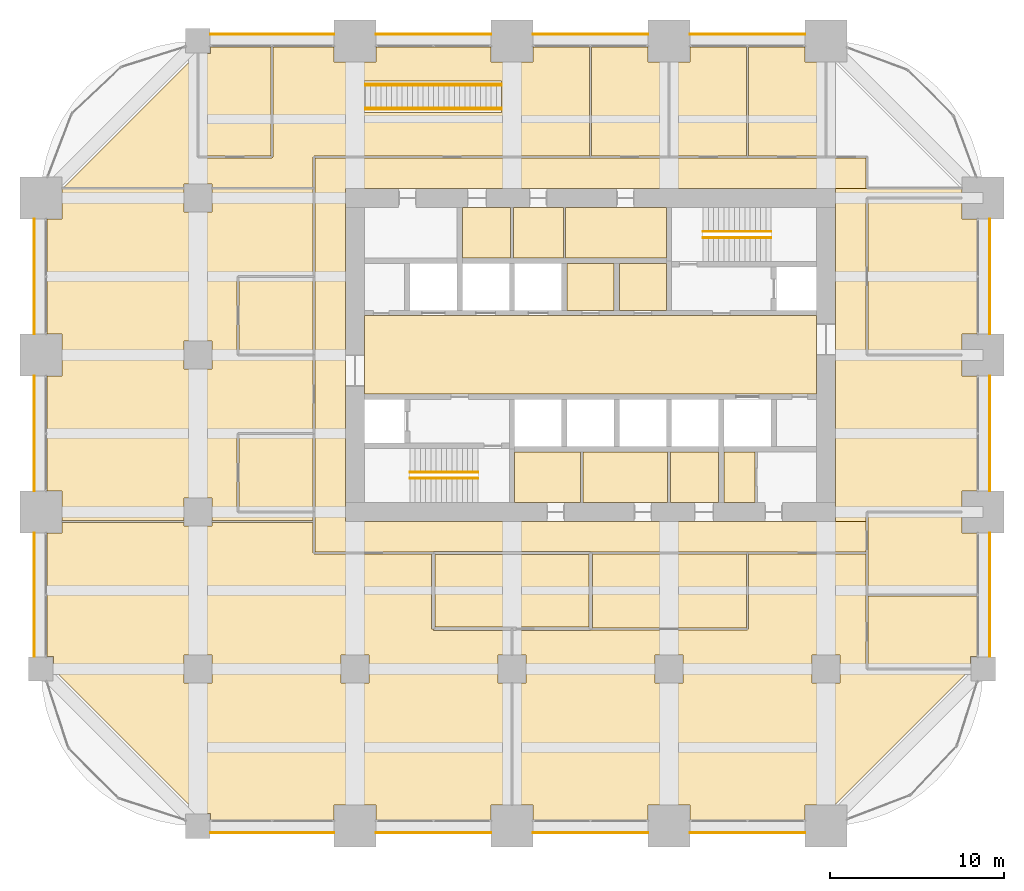
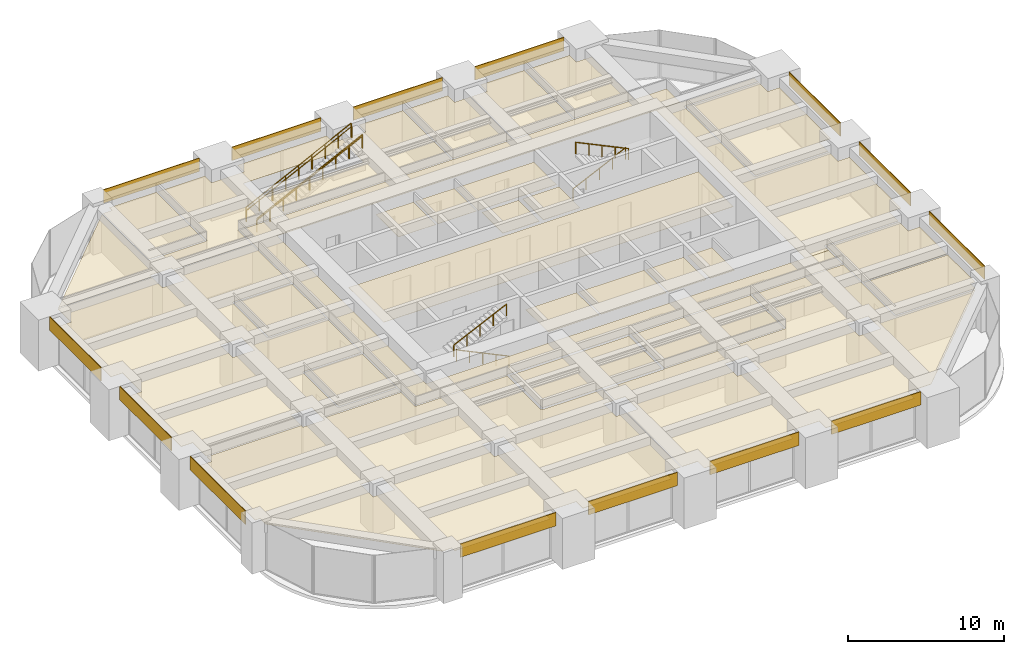
# One storey, part 32 of 33: 41 coverings, 8 railings.
"""IFC4 building model written with IfcOpenShell, lengths in metres."""

from ifc_helpers import new_model, si_unit, direction, frame, frame_2d, origin, origin_2d, place, context, subcontext, project, spatial, polyline, rectangle, circle, outline, extrude, material, layer, layer_set, type_object, element, save


model = new_model("IFC4")

# Units and contexts
model_context = context("Model", 3, precision=1e-05, world=origin(), true_north=direction((0.0, 1.0)))
body_context = subcontext(model_context, "Body", "Model", "MODEL_VIEW")
ifc_project = project(units=[si_unit("LENGTHUNIT", "METRE"), si_unit("AREAUNIT", "SQUARE_METRE"), si_unit("VOLUMEUNIT", "CUBIC_METRE"), si_unit("PLANEANGLEUNIT", "RADIAN"), si_unit("MASSUNIT", "GRAM", prefix="KILO")], contexts=[model_context])

# Site, building, storey
site_placement = place(None, origin())
site = spatial("IfcSite", under=ifc_project, at=site_placement, CompositionType="ELEMENT")
building_placement = place(site_placement, origin())
building = spatial("IfcBuilding", under=site, at=building_placement, Name="Zorevar Civic Tower", CompositionType="ELEMENT")
storey_placement = place(building_placement, frame((0.0, 0.0, 194.199951171875)))
storey = spatial("IfcBuildingStorey", under=building, at=storey_placement, Name="L47", CompositionType="ELEMENT", Elevation=194.199951171875)

# Railings
ifc_material_1 = material(Name="Laminated glass balustrade with black steel handrail", Category="steel")
railing_type_1 = type_object("IfcRailingType", Name="Balustrade BL1 1100", PredefinedType="BALUSTRADE", material=ifc_material_1)
for number, where, name in (
    (1, (18.60009765625, 41.080078125, 0.148193359375), "Balustrade BL1 interconnecting stair L47"),
    (2, (18.60009765625, 42.52001953125, 0.148193359375), "Balustrade BL1 interconnecting stair L47"),
):
    element("IfcRailing", number, at=place(storey_placement, frame(where)), inside=storey, type_object=railing_type_1, Name=name, PredefinedType="BALUSTRADE", context=body_context, shape_type="SweptSolid", body=[
        extrude(circle(Radius=0.02392578125, at=origin_2d()), frame((0.0, 0.0, 1.076171875), z_axis=(0.896627794226, 0.0, 0.442785047875), x_axis=(0.0, 1.0, 0.0)), (0.0, 0.0, 1.0), 8.698974609375),
        extrude(circle(Radius=0.02099609375, at=origin_2d()), origin(), (0.0, 0.0, 1.0), 1.052001953125),
        extrude(circle(Radius=0.02099609375, at=origin_2d()), frame((0.97509765625, 0.0, 0.4814453125)), (0.0, 0.0, 1.0), 1.052001953125),
        extrude(circle(Radius=0.02099609375, at=origin_2d()), frame((1.949951171875, 0.0, 0.962890625)), (0.0, 0.0, 1.0), 1.052001953125),
        extrude(circle(Radius=0.02099609375, at=origin_2d()), frame((2.9248046875, 0.0, 1.4443359375)), (0.0, 0.0, 1.0), 1.052001953125),
        extrude(circle(Radius=0.02099609375, at=origin_2d()), frame((3.89990234375, 0.0, 1.92578125)), (0.0, 0.0, 1.0), 1.052001953125),
        extrude(circle(Radius=0.02099609375, at=origin_2d()), frame((4.875, 0.0, 2.407470703125)), (0.0, 0.0, 1.0), 1.052001953125),
        extrude(circle(Radius=0.02099609375, at=origin_2d()), frame((5.849853515625, 0.0, 2.888916015625)), (0.0, 0.0, 1.0), 1.052001953125),
        extrude(circle(Radius=0.02099609375, at=origin_2d()), frame((6.82470703125, 0.0, 3.370361328125)), (0.0, 0.0, 1.0), 1.052001953125),
        extrude(circle(Radius=0.02099609375, at=origin_2d()), frame((7.7998046875, 0.0, 3.851806640625)), (0.0, 0.0, 1.0), 1.052001953125),
    ])
ifc_material_2 = material(Name="Black steel handrail", Category="steel")
railing_type_2 = type_object("IfcRailingType", Name="Handrail HR1 900", PredefinedType="HANDRAIL", material=ifc_material_2)
railing_1_placement = place(storey_placement, frame((25.050048828125, 19.925048828125, 0.142822265625)))
element("IfcRailing", 3, at=railing_1_placement, inside=storey, type_object=railing_type_2, Name="Handrail HR1 ST1 L47", PredefinedType="HANDRAIL", context=body_context, shape_type="SweptSolid", body=[
    extrude(circle(Radius=0.02392578125, at=origin_2d()), frame((0.0, 0.0, 0.8759765625), z_axis=(-0.902863652845, 0.0, 0.429926998885), x_axis=(0.0, -1.0, 0.0)), (0.0, 0.0, 1.0), 4.31982421875),
    extrude(circle(Radius=0.02099609375, at=origin_2d()), origin(), (0.0, 0.0, 1.0), 0.851806640625),
    extrude(circle(Radius=0.02099609375, at=origin_2d()), frame((-0.97509765625, 0.0, 0.46435546875)), (0.0, 0.0, 1.0), 0.851806640625),
    extrude(circle(Radius=0.02099609375, at=origin_2d()), frame((-1.9501953125, 0.0, 0.9287109375)), (0.0, 0.0, 1.0), 0.851806640625),
    extrude(circle(Radius=0.02099609375, at=origin_2d()), frame((-2.925048828125, 0.0, 1.392822265625)), (0.0, 0.0, 1.0), 0.851806640625),
    extrude(circle(Radius=0.02099609375, at=origin_2d()), frame((-3.900146484375, 0.0, 1.857177734375)), (0.0, 0.0, 1.0), 0.851806640625),
])
for number, where, name in (
    (4, (21.14990234375, 20.27490234375, 2.142822265625), "Handrail HR1 ST1 L47"),
    (5, (37.949951171875, 34.074951171875, 0.142822265625), "Handrail HR1 ST2 L47"),
):
    element("IfcRailing", number, at=place(storey_placement, frame(where)), inside=storey, type_object=railing_type_2, Name=name, PredefinedType="HANDRAIL", context=body_context, shape_type="SweptSolid", body=[
        extrude(circle(Radius=0.02392578125, at=origin_2d()), frame((0.0, 0.0, 0.8759765625), z_axis=(0.902863652845, 0.0, 0.429926998885), x_axis=(0.0, 1.0, 0.0)), (0.0, 0.0, 1.0), 4.31982421875),
        extrude(circle(Radius=0.02099609375, at=origin_2d()), origin(), (0.0, 0.0, 1.0), 0.851806640625),
        extrude(circle(Radius=0.02099609375, at=origin_2d()), frame((0.97509765625, 0.0, 0.46435546875)), (0.0, 0.0, 1.0), 0.851806640625),
        extrude(circle(Radius=0.02099609375, at=origin_2d()), frame((1.9501953125, 0.0, 0.9287109375)), (0.0, 0.0, 1.0), 0.851806640625),
        extrude(circle(Radius=0.02099609375, at=origin_2d()), frame((2.925048828125, 0.0, 1.392822265625)), (0.0, 0.0, 1.0), 0.851806640625),
        extrude(circle(Radius=0.02099609375, at=origin_2d()), frame((3.900146484375, 0.0, 1.857177734375)), (0.0, 0.0, 1.0), 0.851806640625),
    ])
railing_2_placement = place(storey_placement, frame((41.85009765625, 33.72509765625, 2.142822265625)))
element("IfcRailing", 6, at=railing_2_placement, inside=storey, type_object=railing_type_2, Name="Handrail HR1 ST2 L47", PredefinedType="HANDRAIL", context=body_context, shape_type="SweptSolid", body=[
    extrude(circle(Radius=0.02392578125, at=origin_2d()), frame((0.0, 0.0, 0.8759765625), z_axis=(-0.902863652845, 0.0, 0.429926998885), x_axis=(0.0, -1.0, 0.0)), (0.0, 0.0, 1.0), 4.31982421875),
    extrude(circle(Radius=0.02099609375, at=origin_2d()), origin(), (0.0, 0.0, 1.0), 0.851806640625),
    extrude(circle(Radius=0.02099609375, at=origin_2d()), frame((-0.97509765625, 0.0, 0.46435546875)), (0.0, 0.0, 1.0), 0.851806640625),
    extrude(circle(Radius=0.02099609375, at=origin_2d()), frame((-1.9501953125, 0.0, 0.9287109375)), (0.0, 0.0, 1.0), 0.851806640625),
    extrude(circle(Radius=0.02099609375, at=origin_2d()), frame((-2.925048828125, 0.0, 1.392822265625)), (0.0, 0.0, 1.0), 0.851806640625),
    extrude(circle(Radius=0.02099609375, at=origin_2d()), frame((-3.900146484375, 0.0, 1.857177734375)), (0.0, 0.0, 1.0), 0.851806640625),
])
for number, where, name in (
    (7, (18.60009765625, 41.14990234375, 0.148193359375), "Handrail HR1 interconnecting stair L47"),
    (8, (18.60009765625, 42.449951171875, 0.148193359375), "Handrail HR1 interconnecting stair L47"),
):
    element("IfcRailing", number, at=place(storey_placement, frame(where)), inside=storey, type_object=railing_type_2, Name=name, PredefinedType="HANDRAIL", context=body_context, shape_type="SweptSolid", body=[
        extrude(circle(Radius=0.02392578125, at=origin_2d()), frame((0.0, 0.0, 0.8759765625), z_axis=(0.896627794226, 0.0, 0.442785047875), x_axis=(0.0, 1.0, 0.0)), (0.0, 0.0, 1.0), 8.698974609375),
        extrude(circle(Radius=0.02099609375, at=origin_2d()), origin(), (0.0, 0.0, 1.0), 0.851806640625),
        extrude(circle(Radius=0.02099609375, at=origin_2d()), frame((0.97509765625, 0.0, 0.4814453125)), (0.0, 0.0, 1.0), 0.851806640625),
        extrude(circle(Radius=0.02099609375, at=origin_2d()), frame((1.949951171875, 0.0, 0.962890625)), (0.0, 0.0, 1.0), 0.851806640625),
        extrude(circle(Radius=0.02099609375, at=origin_2d()), frame((2.9248046875, 0.0, 1.4443359375)), (0.0, 0.0, 1.0), 0.851806640625),
        extrude(circle(Radius=0.02099609375, at=origin_2d()), frame((3.89990234375, 0.0, 1.92578125)), (0.0, 0.0, 1.0), 0.851806640625),
        extrude(circle(Radius=0.02099609375, at=origin_2d()), frame((4.875, 0.0, 2.407470703125)), (0.0, 0.0, 1.0), 0.851806640625),
        extrude(circle(Radius=0.02099609375, at=origin_2d()), frame((5.849853515625, 0.0, 2.888916015625)), (0.0, 0.0, 1.0), 0.851806640625),
        extrude(circle(Radius=0.02099609375, at=origin_2d()), frame((6.82470703125, 0.0, 3.370361328125)), (0.0, 0.0, 1.0), 0.851806640625),
        extrude(circle(Radius=0.02099609375, at=origin_2d()), frame((7.7998046875, 0.0, 3.851806640625)), (0.0, 0.0, 1.0), 0.851806640625),
    ])

# Coverings
ifc_material_3 = material(Name="Moisture-resistant gypsum board")
ifc_layer_1 = layer(ifc_material_3, 0.012451171875)
ifc_layer_set_1 = layer_set([ifc_layer_1], Name="Moisture-resistant ceiling SC3")
covering_type_1 = type_object("IfcCoveringType", Name="Moisture-resistant ceiling SC3", PredefinedType="CEILING", material=ifc_layer_set_1)
covering_1_placement = place(storey_placement, frame((0.0, 0.0, 3.0)))
element("IfcCovering", 9, at=covering_1_placement, inside=storey, type_object=covering_type_1, Name="Ceiling L47-05", PredefinedType="CEILING", context=body_context, shape_type="SweptSolid", body=[
    extrude(outline(polyline([(30.925048828125, 18.550048828125), (30.925048828125, 21.449951171875), (27.14990234375, 21.449951171875), (27.14990234375, 18.550048828125), (30.925048828125, 18.550048828125)])), origin(), (0.0, 0.0, 1.0), 0.012451171875),
])
covering_2_placement = place(storey_placement, frame((0.0, 0.0, 3.0)))
element("IfcCovering", 10, at=covering_2_placement, inside=storey, type_object=covering_type_1, Name="Ceiling L47-06", PredefinedType="CEILING", context=body_context, shape_type="SweptSolid", body=[
    extrude(outline(polyline([(35.925048828125, 18.550048828125), (35.925048828125, 21.449951171875), (31.074951171875, 21.449951171875), (31.074951171875, 18.550048828125), (35.925048828125, 18.550048828125)])), origin(), (0.0, 0.0, 1.0), 0.012451171875),
])
covering_3_placement = place(storey_placement, frame((0.0, 0.0, 3.0)))
element("IfcCovering", 11, at=covering_3_placement, inside=storey, type_object=covering_type_1, Name="Ceiling L47-07", PredefinedType="CEILING", context=body_context, shape_type="SweptSolid", body=[
    extrude(outline(polyline([(38.85009765625, 18.550048828125), (38.85009765625, 21.449951171875), (36.074951171875, 21.449951171875), (36.074951171875, 18.550048828125), (38.85009765625, 18.550048828125)])), origin(), (0.0, 0.0, 1.0), 0.012451171875),
])
covering_4_placement = place(storey_placement, frame((0.0, 0.0, 3.0)))
element("IfcCovering", 12, at=covering_4_placement, inside=storey, type_object=covering_type_1, Name="Ceiling L47-10", PredefinedType="CEILING", context=body_context, shape_type="SweptSolid", body=[
    extrude(outline(polyline([(26.925048828125, 32.550048828125), (26.925048828125, 35.449951171875), (24.14990234375, 35.449951171875), (24.14990234375, 32.550048828125), (26.925048828125, 32.550048828125)])), origin(), (0.0, 0.0, 1.0), 0.012451171875),
])
ifc_material_4 = material(Name="Black anodised aluminium spandrel panel", Category="aluminium")
ifc_layer_2 = layer(ifc_material_4, 0.050048828125)
ifc_layer_set_2 = layer_set([ifc_layer_2], Name="Spandrel cladding SP1")
covering_type_2 = type_object("IfcCoveringType", Name="Spandrel cladding SP1", PredefinedType="CLADDING", material=ifc_layer_set_2)
covering_5_placement = place(storey_placement, frame((9.699951171875, -0.375, 2.949951171875), z_axis=(0.0, 0.0, 1.0), x_axis=(1.0, 0.0, 0.0)))
element("IfcCovering", 13, at=covering_5_placement, inside=storey, type_object=covering_type_2, Name="Spandrel cladding L48", PredefinedType="CLADDING", context=body_context, shape_type="SweptSolid", body=[
    extrude(rectangle(XDim=7.10009765625, YDim=0.050048828125, at=frame_2d((3.550048828125, 0.0))), origin(), (0.0, 0.0, 1.0), 1.050048828125),
])
for number, where, z_axis, x_axis, name in (
    (14, (19.199951171875, -0.375, 2.949951171875), (0.0, 0.0, 1.0), (1.0, 0.0, 0.0), "Spandrel cladding L48"),
    (15, (28.199951171875, -0.375, 2.949951171875), (0.0, 0.0, 1.0), (1.0, 0.0, 0.0), "Spandrel cladding L48"),
    (16, (37.199951171875, -0.375, 2.949951171875), (0.0, 0.0, 1.0), (1.0, 0.0, 0.0), "Spandrel cladding L48"),
):
    element("IfcCovering", number, at=place(storey_placement, frame(where, z_axis=z_axis, x_axis=x_axis)), inside=storey, type_object=covering_type_2, Name=name, PredefinedType="CLADDING", context=body_context, shape_type="SweptSolid", body=[
        extrude(rectangle(XDim=6.60009765625, YDim=0.050048828125, at=frame_2d((3.300048828125, 0.0))), origin(), (0.0, 0.0, 1.0), 1.050048828125),
    ])
covering_6_placement = place(storey_placement, frame((9.699951171875, 45.375, 2.949951171875), z_axis=(0.0, 0.0, 1.0), x_axis=(1.0, 0.0, 0.0)))
element("IfcCovering", 17, at=covering_6_placement, inside=storey, type_object=covering_type_2, Name="Spandrel cladding L48", PredefinedType="CLADDING", context=body_context, shape_type="SweptSolid", body=[
    extrude(rectangle(XDim=7.10009765625, YDim=0.050048828125, at=frame_2d((3.550048828125, 0.0))), origin(), (0.0, 0.0, 1.0), 1.050048828125),
])
for number, where, z_axis, x_axis, name in (
    (18, (19.199951171875, 45.375, 2.949951171875), (0.0, 0.0, 1.0), (1.0, 0.0, 0.0), "Spandrel cladding L48"),
    (19, (28.199951171875, 45.375, 2.949951171875), (0.0, 0.0, 1.0), (1.0, 0.0, 0.0), "Spandrel cladding L48"),
    (20, (37.199951171875, 45.375, 2.949951171875), (0.0, 0.0, 1.0), (1.0, 0.0, 0.0), "Spandrel cladding L48"),
):
    element("IfcCovering", number, at=place(storey_placement, frame(where, z_axis=z_axis, x_axis=x_axis)), inside=storey, type_object=covering_type_2, Name=name, PredefinedType="CLADDING", context=body_context, shape_type="SweptSolid", body=[
        extrude(rectangle(XDim=6.60009765625, YDim=0.050048828125, at=frame_2d((3.300048828125, 0.0))), origin(), (0.0, 0.0, 1.0), 1.050048828125),
    ])
covering_7_placement = place(storey_placement, frame((-0.375, 9.699951171875, 2.949951171875), z_axis=(0.0, 0.0, 1.0), x_axis=(0.0, 1.0, 0.0)))
element("IfcCovering", 21, at=covering_7_placement, inside=storey, type_object=covering_type_2, Name="Spandrel cladding L48", PredefinedType="CLADDING", context=body_context, shape_type="SweptSolid", body=[
    extrude(rectangle(XDim=7.10009765625, YDim=0.050048828125, at=frame_2d((3.550048828125, 0.0))), origin(), (0.0, 0.0, 1.0), 1.050048828125),
])
for number, where, z_axis, x_axis, name in (
    (22, (-0.375, 19.199951171875, 2.949951171875), (0.0, 0.0, 1.0), (0.0, 1.0, 0.0), "Spandrel cladding L48"),
    (23, (-0.375, 28.199951171875, 2.949951171875), (0.0, 0.0, 1.0), (0.0, 1.0, 0.0), "Spandrel cladding L48"),
):
    element("IfcCovering", number, at=place(storey_placement, frame(where, z_axis=z_axis, x_axis=x_axis)), inside=storey, type_object=covering_type_2, Name=name, PredefinedType="CLADDING", context=body_context, shape_type="SweptSolid", body=[
        extrude(rectangle(XDim=6.60009765625, YDim=0.050048828125, at=frame_2d((3.300048828125, 0.0))), origin(), (0.0, 0.0, 1.0), 1.050048828125),
    ])
covering_8_placement = place(storey_placement, frame((54.375, 9.699951171875, 2.949951171875), z_axis=(0.0, 0.0, 1.0), x_axis=(0.0, 1.0, 0.0)))
element("IfcCovering", 24, at=covering_8_placement, inside=storey, type_object=covering_type_2, Name="Spandrel cladding L48", PredefinedType="CLADDING", context=body_context, shape_type="SweptSolid", body=[
    extrude(rectangle(XDim=7.10009765625, YDim=0.050048828125, at=frame_2d((3.550048828125, 0.0))), origin(), (0.0, 0.0, 1.0), 1.050048828125),
])
for number, where, z_axis, x_axis, name in (
    (25, (54.375, 19.199951171875, 2.949951171875), (0.0, 0.0, 1.0), (0.0, 1.0, 0.0), "Spandrel cladding L48"),
    (26, (54.375, 28.199951171875, 2.949951171875), (0.0, 0.0, 1.0), (0.0, 1.0, 0.0), "Spandrel cladding L48"),
):
    element("IfcCovering", number, at=place(storey_placement, frame(where, z_axis=z_axis, x_axis=x_axis)), inside=storey, type_object=covering_type_2, Name=name, PredefinedType="CLADDING", context=body_context, shape_type="SweptSolid", body=[
        extrude(rectangle(XDim=6.60009765625, YDim=0.050048828125, at=frame_2d((3.300048828125, 0.0))), origin(), (0.0, 0.0, 1.0), 1.050048828125),
    ])
ifc_material_5 = material(Name="Mineral fibre tiles on a concealed grid")
ifc_layer_3 = layer(ifc_material_5, 0.02001953125)
ifc_layer_set_3 = layer_set([ifc_layer_3], Name="Suspended ceiling SC1")
covering_type_3 = type_object("IfcCoveringType", Name="Suspended ceiling SC1", PredefinedType="CEILING", material=ifc_layer_set_3)
covering_9_placement = place(storey_placement, frame((0.0, 0.0, 3.0)))
element("IfcCovering", 27, at=covering_9_placement, inside=storey, type_object=covering_type_3, Name="Ceiling L47-08", PredefinedType="CEILING", context=body_context, shape_type="SweptSolid", body=[
    extrude(outline(polyline([(35.85009765625, 32.550048828125), (35.85009765625, 35.449951171875), (30.06005859375, 35.449951171875), (30.06005859375, 32.550048828125), (35.85009765625, 32.550048828125)])), origin(), (0.0, 0.0, 1.0), 0.02001953125),
])
covering_10_placement = place(storey_placement, frame((0.0, 0.0, 3.0)))
element("IfcCovering", 28, at=covering_10_placement, inside=storey, type_object=covering_type_3, Name="Ceiling L47-09", PredefinedType="CEILING", context=body_context, shape_type="SweptSolid", body=[
    extrude(outline(polyline([(29.93994140625, 32.550048828125), (29.93994140625, 35.449951171875), (27.074951171875, 35.449951171875), (27.074951171875, 32.550048828125), (29.93994140625, 32.550048828125)])), origin(), (0.0, 0.0, 1.0), 0.02001953125),
])
covering_11_placement = place(storey_placement, frame((0.0, 0.0, 3.0)))
element("IfcCovering", 29, at=covering_11_placement, inside=storey, type_object=covering_type_3, Name="Ceiling L47-11", PredefinedType="CEILING", context=body_context, shape_type="SweptSolid", body=[
    extrude(outline(polyline([(40.93994140625, 18.550048828125), (40.93994140625, 21.449951171875), (39.14990234375, 21.449951171875), (39.14990234375, 18.550048828125), (40.93994140625, 18.550048828125)])), origin(), (0.0, 0.0, 1.0), 0.02001953125),
])
covering_12_placement = place(storey_placement, frame((0.0, 0.0, 3.0)))
element("IfcCovering", 30, at=covering_12_placement, inside=storey, type_object=covering_type_3, Name="Ceiling L47-16", PredefinedType="CEILING", context=body_context, shape_type="SweptSolid", body=[
    extrude(outline(polyline([(44.449951171875, 24.75), (44.449951171875, 29.25), (18.550048828125, 29.25), (18.550048828125, 24.75), (44.449951171875, 24.75)])), origin(), (0.0, 0.0, 1.0), 0.02001953125),
])
covering_13_placement = place(storey_placement, frame((0.0, 0.0, 3.0)))
element("IfcCovering", 31, at=covering_13_placement, inside=storey, type_object=covering_type_3, Name="Ceiling L47-17", PredefinedType="CEILING", context=body_context, shape_type="SweptSolid", body=[
    extrude(outline(polyline([(35.85009765625, 29.550048828125), (35.85009765625, 32.25), (33.14990234375, 32.25), (33.14990234375, 29.550048828125), (35.85009765625, 29.550048828125)])), origin(), (0.0, 0.0, 1.0), 0.02001953125),
])
covering_14_placement = place(storey_placement, frame((0.0, 0.0, 3.0)))
element("IfcCovering", 32, at=covering_14_placement, inside=storey, type_object=covering_type_3, Name="Ceiling L47-18", PredefinedType="CEILING", context=body_context, shape_type="SweptSolid", body=[
    extrude(outline(polyline([(32.85009765625, 29.550048828125), (32.85009765625, 32.25), (30.14990234375, 32.25), (30.14990234375, 29.550048828125), (32.85009765625, 29.550048828125)])), origin(), (0.0, 0.0, 1.0), 0.02001953125),
])
covering_15_placement = place(storey_placement, frame((0.0, 0.0, 3.0)))
element("IfcCovering", 33, at=covering_15_placement, inside=storey, type_object=covering_type_3, Name="Ceiling L47-19", PredefinedType="CEILING", context=body_context, shape_type="SweptSolid", body=[
    extrude(outline(polyline([(9.06005859375, 38.409912109375), (9.06005859375, 44.2900390625), (9.7099609375, 44.2900390625), (9.7099609375, 44.64990234375), (13.18994140625, 44.64990234375), (13.18994140625, 38.409912109375), (9.06005859375, 38.409912109375)])), origin(), (0.0, 0.0, 1.0), 0.02001953125),
])
covering_16_placement = place(storey_placement, frame((0.0, 0.0, 3.0)))
element("IfcCovering", 34, at=covering_16_placement, inside=storey, type_object=covering_type_3, Name="Ceiling L47-20", PredefinedType="CEILING", context=body_context, shape_type="SweptSolid", body=[
    extrude(outline(polyline([(31.56005859375, 38.409912109375), (31.56005859375, 44.64990234375), (34.7900390625, 44.64990234375), (34.7900390625, 43.7900390625), (35.93994140625, 43.7900390625), (35.93994140625, 38.409912109375), (31.56005859375, 38.409912109375)])), origin(), (0.0, 0.0, 1.0), 0.02001953125),
])
covering_17_placement = place(storey_placement, frame((0.0, 0.0, 3.0)))
element("IfcCovering", 35, at=covering_17_placement, inside=storey, type_object=covering_type_3, Name="Ceiling L47-21", PredefinedType="CEILING", context=body_context, shape_type="SweptSolid", body=[
    extrude(outline(polyline([(36.06005859375, 38.409912109375), (36.06005859375, 43.7900390625), (37.2099609375, 43.7900390625), (37.2099609375, 44.64990234375), (40.43994140625, 44.64990234375), (40.43994140625, 38.409912109375), (36.06005859375, 38.409912109375)])), origin(), (0.0, 0.0, 1.0), 0.02001953125),
])
covering_18_placement = place(storey_placement, frame((0.0, 0.0, 3.0)))
element("IfcCovering", 36, at=covering_18_placement, inside=storey, type_object=covering_type_3, Name="Ceiling L47-22", PredefinedType="CEILING", context=body_context, shape_type="SweptSolid", body=[
    extrude(outline(polyline([(40.56005859375, 38.409912109375), (40.56005859375, 44.64990234375), (43.7900390625, 44.64990234375), (43.7900390625, 43.7900390625), (44.93994140625, 43.7900390625), (44.93994140625, 38.409912109375), (40.56005859375, 38.409912109375)])), origin(), (0.0, 0.0, 1.0), 0.02001953125),
])
covering_19_placement = place(storey_placement, frame((0.0, 0.0, 3.0)))
element("IfcCovering", 37, at=covering_19_placement, inside=storey, type_object=covering_type_3, Name="Ceiling L47-23", PredefinedType="CEILING", context=body_context, shape_type="SweptSolid", body=[
    extrude(outline(polyline([(22.60009765625, 15.550048828125), (31.39990234375, 15.550048828125), (31.39990234375, 11.39990234375), (22.60009765625, 11.39990234375), (22.60009765625, 15.550048828125)])), origin(), (0.0, 0.0, 1.0), 0.02001953125),
])
covering_20_placement = place(storey_placement, frame((0.0, 0.0, 3.0)))
element("IfcCovering", 38, at=covering_20_placement, inside=storey, type_object=covering_type_3, Name="Ceiling L47-24", PredefinedType="CEILING", context=body_context, shape_type="SweptSolid", body=[
    extrude(outline(polyline([(31.60009765625, 15.590087890625), (40.43994140625, 15.590087890625), (40.43994140625, 11.35009765625), (31.60009765625, 11.35009765625), (31.60009765625, 15.590087890625)])), origin(), (0.0, 0.0, 1.0), 0.02001953125),
])
covering_21_placement = place(storey_placement, frame((0.0, 0.0, 3.0)))
element("IfcCovering", 39, at=covering_21_placement, inside=storey, type_object=covering_type_3, Name="Ceiling L47-25", PredefinedType="CEILING", context=body_context, shape_type="SweptSolid", body=[
    extrude(outline(polyline([(47.409912109375, 13.18994140625), (53.64990234375, 13.18994140625), (53.64990234375, 9.7099609375), (53.2900390625, 9.7099609375), (53.2900390625, 9.06005859375), (47.409912109375, 9.06005859375), (47.409912109375, 13.18994140625)])), origin(), (0.0, 0.0, 1.0), 0.02001953125),
])
covering_22_placement = place(storey_placement, frame((0.0, 0.0, 3.0)))
element("IfcCovering", 40, at=covering_22_placement, inside=storey, type_object=covering_type_3, Name="Ceiling L47-26", PredefinedType="CEILING", context=body_context, shape_type="SweptSolid", body=[
    extrude(outline(polyline([(47.409912109375, 17.93994140625), (52.7900390625, 17.93994140625), (52.7900390625, 16.7900390625), (53.64990234375, 16.7900390625), (53.64990234375, 13.31005859375), (47.409912109375, 13.31005859375), (47.409912109375, 17.93994140625)])), origin(), (0.0, 0.0, 1.0), 0.02001953125),
])
covering_23_placement = place(storey_placement, frame((0.0, 0.0, 3.0)))
element("IfcCovering", 41, at=covering_23_placement, inside=storey, type_object=covering_type_3, Name="Ceiling L47-27", PredefinedType="CEILING", context=body_context, shape_type="SweptSolid", body=[
    extrude(outline(polyline([(53.64990234375, 28.2099609375), (52.7900390625, 28.2099609375), (52.7900390625, 27.06005859375), (47.409912109375, 27.06005859375), (47.409912109375, 35.93994140625), (52.7900390625, 35.93994140625), (52.7900390625, 34.7900390625), (53.64990234375, 34.7900390625), (53.64990234375, 28.2099609375)])), origin(), (0.0, 0.0, 1.0), 0.02001953125),
])
covering_24_placement = place(storey_placement, frame((0.0, 0.0, 3.0)))
element("IfcCovering", 42, at=covering_24_placement, inside=storey, type_object=covering_type_3, Name="Ceiling L47-28", PredefinedType="CEILING", context=body_context, shape_type="SweptSolid", body=[
    extrude(outline(polyline([(15.590087890625, 18.06005859375), (11.360107421875, 18.06005859375), (11.360107421875, 22.43994140625), (15.590087890625, 22.43994140625), (15.590087890625, 18.06005859375)])), origin(), (0.0, 0.0, 1.0), 0.02001953125),
])
covering_25_placement = place(storey_placement, frame((0.0, 0.0, 3.0)))
element("IfcCovering", 43, at=covering_25_placement, inside=storey, type_object=covering_type_3, Name="Ceiling L47-29", PredefinedType="CEILING", context=body_context, shape_type="SweptSolid", body=[
    extrude(outline(polyline([(11.360107421875, 31.43994140625), (15.590087890625, 31.43994140625), (15.590087890625, 27.06005859375), (11.360107421875, 27.06005859375), (11.360107421875, 31.43994140625)])), origin(), (0.0, 0.0, 1.0), 0.02001953125),
])
covering_26_placement = place(storey_placement, frame((0.0, 0.0, 3.0)))
element("IfcCovering", 44, at=covering_26_placement, inside=storey, type_object=covering_type_3, Name="Ceiling L47-30", PredefinedType="CEILING", context=body_context, shape_type="SweptSolid", body=[
    extrude(outline(polyline([(47.2900390625, 15.699951171875), (40.5, 15.699951171875), (40.5, 15.7099609375), (31.5, 15.7099609375), (31.5, 15.75), (22.5, 15.75), (22.5, 15.699951171875), (15.699951171875, 15.699951171875), (15.699951171875, 18.0), (15.7099609375, 18.0), (15.7099609375, 22.5), (15.699951171875, 22.5), (15.699951171875, 27.0), (15.7099609375, 27.0), (15.7099609375, 31.5), (15.699951171875, 31.5), (15.699951171875, 38.300048828125), (31.5, 38.300048828125), (31.5, 38.2900390625), (45.0, 38.2900390625), (45.0, 38.300048828125), (47.300048828125, 38.300048828125), (47.300048828125, 36.550048828125), (17.449951171875, 36.550048828125), (17.449951171875, 17.449951171875), (47.2900390625, 17.449951171875), (47.2900390625, 15.699951171875)])), origin(), (0.0, 0.0, 1.0), 0.02001953125),
])
covering_27_placement = place(storey_placement, frame((0.0, 0.0, 3.0)))
element("IfcCovering", 45, at=covering_27_placement, inside=storey, type_object=covering_type_3, Name="Ceiling L47-31", PredefinedType="CEILING", context=body_context, shape_type="SweptSolid", body=[
    extrude(outline(polyline([(52.7900390625, 26.93994140625), (52.7900390625, 25.7900390625), (53.64990234375, 25.7900390625), (53.64990234375, 19.2099609375), (52.7900390625, 19.2099609375), (52.7900390625, 18.06005859375), (47.35009765625, 18.06005859375), (47.35009765625, 18.0), (47.2900390625, 18.0), (47.2900390625, 17.449951171875), (45.550048828125, 17.449951171875), (45.550048828125, 36.550048828125), (47.35009765625, 36.550048828125), (47.35009765625, 36.5), (52.7900390625, 36.5), (52.7900390625, 36.06005859375), (47.35009765625, 36.06005859375), (47.35009765625, 36.0), (47.2900390625, 36.0), (47.2900390625, 27.0), (47.35009765625, 27.0), (47.35009765625, 26.93994140625), (52.7900390625, 26.93994140625)])), origin(), (0.0, 0.0, 1.0), 0.02001953125),
])
covering_28_placement = place(storey_placement, frame((0.0, 0.0, 3.0)))
element("IfcCovering", 46, at=covering_28_placement, inside=storey, type_object=covering_type_3, Name="Ceiling L47-32", PredefinedType="CEILING", context=body_context, shape_type="SweptSolid", body=[
    extrude(outline(polyline([(8.93994140625, 38.35009765625), (9.0, 38.35009765625), (9.0, 38.2900390625), (13.25, 38.2900390625), (13.25, 38.35009765625), (13.31005859375, 38.35009765625), (13.31005859375, 44.64990234375), (16.7900390625, 44.64990234375), (16.7900390625, 43.7900390625), (19.2099609375, 43.7900390625), (19.2099609375, 44.64990234375), (25.7900390625, 44.64990234375), (25.7900390625, 43.7900390625), (28.2099609375, 43.7900390625), (28.2099609375, 44.64990234375), (31.43994140625, 44.64990234375), (31.43994140625, 38.39990234375), (15.64990234375, 38.39990234375), (15.64990234375, 38.35009765625), (15.60009765625, 38.35009765625), (15.60009765625, 36.60009765625), (9.81005859375, 36.60009765625), (9.81005859375, 36.81005859375), (8.18994140625, 36.81005859375), (8.18994140625, 36.60009765625), (1.30712890625, 36.60009765625), (8.93994140625, 44.23291015625), (8.93994140625, 38.35009765625)]), holes=[polyline([(18.5, 42.699951171875), (18.5, 40.89990234375), (26.39990234375, 40.89990234375), (26.39990234375, 42.699951171875), (18.5, 42.699951171875)])]), origin(), (0.0, 0.0, 1.0), 0.02001953125),
])
covering_29_placement = place(storey_placement, frame((0.0, 0.0, 3.0)))
element("IfcCovering", 47, at=covering_29_placement, inside=storey, type_object=covering_type_3, Name="Ceiling L47-34", PredefinedType="CEILING", context=body_context, shape_type="SweptSolid", body=[
    extrude(outline(polyline([(8.18994140625, 17.18994140625), (9.81005859375, 17.18994140625), (9.81005859375, 17.39990234375), (15.60009765625, 17.39990234375), (15.60009765625, 15.64990234375), (15.64990234375, 15.64990234375), (15.64990234375, 15.60009765625), (22.39990234375, 15.60009765625), (22.39990234375, 11.300048828125), (22.5, 11.300048828125), (22.5, 11.199951171875), (26.949951171875, 11.199951171875), (26.949951171875, 9.81005859375), (26.18994140625, 9.81005859375), (26.18994140625, 8.18994140625), (26.949951171875, 8.18994140625), (26.949951171875, 1.2099609375), (25.7900390625, 1.2099609375), (25.7900390625, 0.35009765625), (19.2099609375, 0.35009765625), (19.2099609375, 1.2099609375), (16.7900390625, 1.2099609375), (16.7900390625, 0.35009765625), (9.7099609375, 0.35009765625), (9.7099609375, 0.7099609375), (8.9970703125, 0.7099609375), (0.7099609375, 8.9970703125), (0.7099609375, 9.7099609375), (0.35009765625, 9.7099609375), (0.35009765625, 16.7900390625), (1.2099609375, 16.7900390625), (1.2099609375, 17.39990234375), (8.18994140625, 17.39990234375), (8.18994140625, 17.18994140625)]), holes=[polyline([(8.18994140625, 8.18994140625), (9.81005859375, 8.18994140625), (9.81005859375, 9.81005859375), (8.18994140625, 9.81005859375), (8.18994140625, 8.18994140625)]), polyline([(18.81005859375, 8.18994140625), (18.81005859375, 9.81005859375), (17.18994140625, 9.81005859375), (17.18994140625, 8.18994140625), (18.81005859375, 8.18994140625)])]), origin(), (0.0, 0.0, 1.0), 0.02001953125),
])
covering_30_placement = place(storey_placement, frame((0.0, 0.0, 3.0)))
element("IfcCovering", 48, at=covering_30_placement, inside=storey, type_object=covering_type_3, Name="Ceiling L47-35", PredefinedType="CEILING", context=body_context, shape_type="SweptSolid", body=[
    extrude(outline(polyline([(43.7900390625, 1.2099609375), (43.7900390625, 0.35009765625), (37.2099609375, 0.35009765625), (37.2099609375, 1.2099609375), (34.7900390625, 1.2099609375), (34.7900390625, 0.35009765625), (28.2099609375, 0.35009765625), (28.2099609375, 1.2099609375), (27.050048828125, 1.2099609375), (27.050048828125, 8.18994140625), (27.81005859375, 8.18994140625), (27.81005859375, 9.81005859375), (27.050048828125, 9.81005859375), (27.050048828125, 11.199951171875), (31.5, 11.199951171875), (31.5, 11.25), (40.5, 11.25), (40.5, 11.300048828125), (40.56005859375, 11.300048828125), (40.56005859375, 15.60009765625), (47.2900390625, 15.60009765625), (47.2900390625, 9.0), (47.35009765625, 9.0), (47.35009765625, 8.93994140625), (53.23291015625, 8.93994140625), (45.5029296875, 1.2099609375), (43.7900390625, 1.2099609375)]), holes=[polyline([(36.81005859375, 9.81005859375), (35.18994140625, 9.81005859375), (35.18994140625, 8.18994140625), (36.81005859375, 8.18994140625), (36.81005859375, 9.81005859375)]), polyline([(44.18994140625, 8.18994140625), (45.81005859375, 8.18994140625), (45.81005859375, 9.81005859375), (44.18994140625, 9.81005859375), (44.18994140625, 8.18994140625)])]), origin(), (0.0, 0.0, 1.0), 0.02001953125),
])
covering_31_placement = place(storey_placement, frame((0.0, 0.0, 3.0)))
element("IfcCovering", 49, at=covering_31_placement, inside=storey, type_object=covering_type_3, Name="Ceiling L47-36", PredefinedType="CEILING", context=body_context, shape_type="SweptSolid", body=[
    extrude(outline(polyline([(11.300048828125, 22.5), (11.239990234375, 22.5), (11.239990234375, 18.0), (11.300048828125, 18.0), (11.300048828125, 17.93994140625), (15.60009765625, 17.93994140625), (15.60009765625, 17.5), (9.81005859375, 17.5), (9.81005859375, 18.81005859375), (8.18994140625, 18.81005859375), (8.18994140625, 17.5), (1.2099609375, 17.5), (1.2099609375, 19.2099609375), (0.35009765625, 19.2099609375), (0.35009765625, 25.7900390625), (1.2099609375, 25.7900390625), (1.2099609375, 28.2099609375), (0.35009765625, 28.2099609375), (0.35009765625, 34.7900390625), (1.2099609375, 34.7900390625), (1.2099609375, 36.5), (8.18994140625, 36.5), (8.18994140625, 35.18994140625), (9.81005859375, 35.18994140625), (9.81005859375, 36.5), (15.60009765625, 36.5), (15.60009765625, 31.56005859375), (11.300048828125, 31.56005859375), (11.300048828125, 31.5), (11.239990234375, 31.5), (11.239990234375, 27.0), (11.300048828125, 27.0), (11.300048828125, 26.93994140625), (15.60009765625, 26.93994140625), (15.60009765625, 22.56005859375), (11.300048828125, 22.56005859375), (11.300048828125, 22.5)]), holes=[polyline([(8.18994140625, 27.81005859375), (8.18994140625, 26.18994140625), (9.81005859375, 26.18994140625), (9.81005859375, 27.81005859375), (8.18994140625, 27.81005859375)])]), origin(), (0.0, 0.0, 1.0), 0.02001953125),
])

save(model, "model.ifc")
